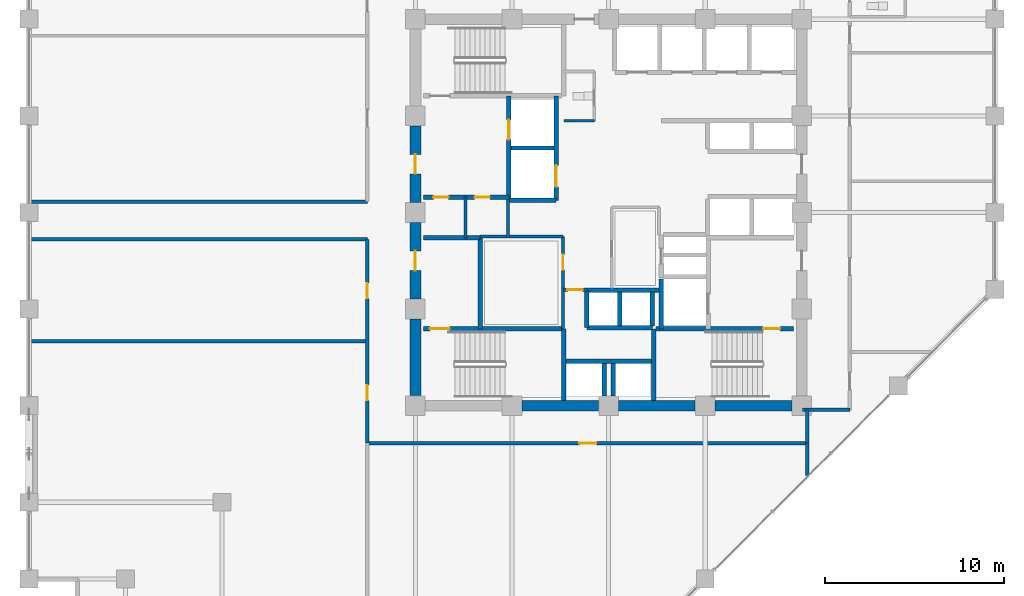
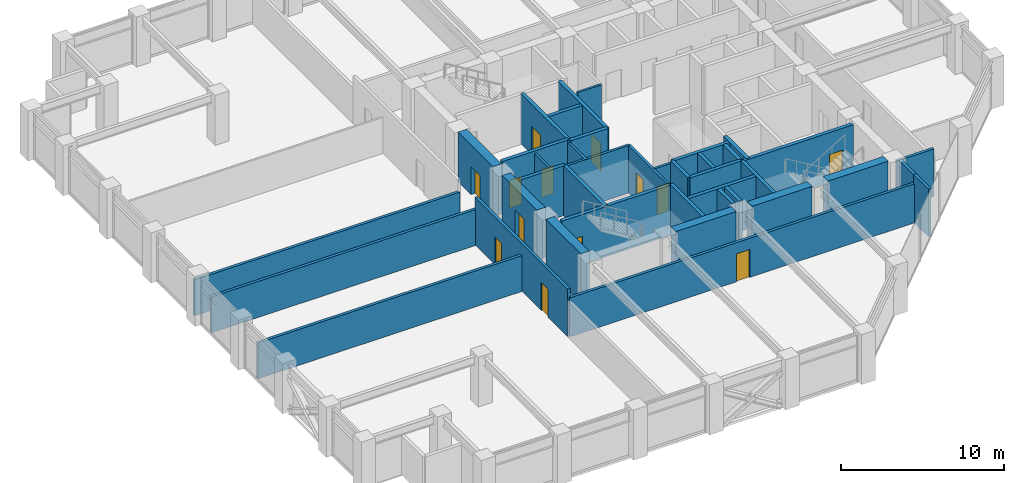
# One storey, part 19 of 23: 40 walls, 13 doors, 13 openings.
"""IFC4 building model written with IfcOpenShell, lengths in metres."""

from ifc_helpers import new_model, si_unit, direction, frame, frame_2d, origin, place, context, subcontext, project, spatial, rectangle, extrude, material, layer, layer_set, type_object, element, fill, save


model = new_model("IFC4")

# Units and contexts
model_context = context("Model", 3, precision=1e-05, world=origin(), true_north=direction((0.0, 1.0)))
body_context = subcontext(model_context, "Body", "Model", "MODEL_VIEW")
ifc_project = project(units=[si_unit("LENGTHUNIT", "METRE"), si_unit("AREAUNIT", "SQUARE_METRE"), si_unit("VOLUMEUNIT", "CUBIC_METRE"), si_unit("PLANEANGLEUNIT", "RADIAN"), si_unit("MASSUNIT", "GRAM", prefix="KILO")], contexts=[model_context])

# Site, building, storey
site_placement = place(None, origin())
site = spatial("IfcSite", under=ifc_project, at=site_placement, CompositionType="ELEMENT")
building_placement = place(site_placement, origin())
building = spatial("IfcBuilding", under=site, at=building_placement, Name="Surkhivell Harbour Commons", CompositionType="ELEMENT")
storey_placement = place(building_placement, frame((0.0, 0.0, 135.75)))
storey = spatial("IfcBuildingStorey", under=building, at=storey_placement, Name="L35", CompositionType="ELEMENT", Elevation=135.75)

# Walls
ifc_material_1 = material(Name="Concrete C60/75", Category="concrete")
ifc_layer_1 = layer(ifc_material_1, 0.60009765625)
ifc_layer_set_1 = layer_set([ifc_layer_1], Name="Concrete C60/75")
wall_type_1 = type_object("IfcWallType", Name="WAL-CORE-600", PredefinedType="SHEAR", material=ifc_layer_set_1)
for number, where, z_axis, x_axis, name in (
    (1, (-10.800048828125, -10.239990234375, 0.0), (0.0, 0.0, 1.0), (0.0, 1.0, 0.0), "L35 Core Shear Wall West 1"),
    (2, (-4.840087890625, -10.800048828125, 0.0), (0.0, 0.0, 1.0), (1.0, 0.0, 0.0), "L35 Core Shear Wall South 2"),
):
    element("IfcWall", number, at=place(storey_placement, frame(where, z_axis=z_axis, x_axis=x_axis)), inside=storey, type_object=wall_type_1, Name=name, PredefinedType="SHEAR", context=body_context, shape_type="SweptSolid", body=[
        extrude(rectangle(XDim=4.280029296875, YDim=0.60009765625, at=frame_2d((2.14013671875, 0.0))), origin(), (0.0, 0.0, 1.0), 3.75),
    ])

# Wall, opening, door
wall_1_placement = place(storey_placement, frame((-10.800048828125, -4.840087890625, 0.0), z_axis=(0.0, 0.0, 1.0), x_axis=(0.0, 1.0, 0.0)))
wall_1 = element("IfcWall", 3, at=wall_1_placement, inside=storey, type_object=wall_type_1, Name="L35 Core Shear Wall West 2", PredefinedType="SHEAR", context=body_context, shape_type="SweptSolid", body=[
    extrude(rectangle(XDim=4.280029296875, YDim=0.60009765625, at=frame_2d((2.14013671875, 0.0))), origin(), (0.0, 0.0, 1.0), 3.75),
])
opening_1_placement = place(wall_1_placement, frame((1.590087890625, 0.0, 0.0)))
opening_1 = element("IfcOpeningElement", 4, at=opening_1_placement, cuts=wall_1, Name="Opening ID-2", PredefinedType="OPENING", context=body_context, shape_type="SweptSolid", body=[
    extrude(rectangle(XDim=1.10009765625, YDim=2.10009765625, at=frame_2d((0.550048828125, 1.050048828125))), frame((0.0, 0.31005859375, 0.0), z_axis=(0.0, -1.0, 0.0), x_axis=(1.0, 0.0, 0.0)), (0.0, 0.0, 1.0), 0.6201171875),
])
ifc_material_2 = material(Name="Hardwood-veneered fire-rated door leaf", Category="wood")
door_type_1 = type_object("IfcDoorType", Name="DOR-FD60-1100", OperationType="NOTDEFINED", PredefinedType="DOOR", material=ifc_material_2)
door_1_placement = place(opening_1_placement, origin())
door_1 = element("IfcDoor", 5, at=door_1_placement, inside=storey, type_object=door_type_1, Name="L35 Stair 3 Lobby Corridor Door", OperationType="SINGLE_SWING_LEFT", OverallHeight=2.10009765625, OverallWidth=1.10009765625, PredefinedType="DOOR", context=body_context, shape_type="SweptSolid", body=[
    extrude(rectangle(XDim=1.10009765625, YDim=2.10009765625, at=frame_2d((0.550048828125, 1.050048828125))), frame((0.0, 0.02490234375, 0.0), z_axis=(0.0, -1.0, 0.0), x_axis=(1.0, 0.0, 0.0)), (0.0, 0.0, 1.0), 0.050048828125),
])
fill(opening_1, door_1)

# Wall
wall_2_placement = place(storey_placement, frame((0.56005859375, -10.800048828125, 0.0), z_axis=(0.0, 0.0, 1.0), x_axis=(1.0, 0.0, 0.0)))
element("IfcWall", 6, at=wall_2_placement, inside=storey, type_object=wall_type_1, Name="L35 Core Shear Wall South 3", PredefinedType="SHEAR", context=body_context, shape_type="SweptSolid", body=[
    extrude(rectangle(XDim=4.280029296875, YDim=0.60009765625, at=frame_2d((2.14013671875, 0.0))), origin(), (0.0, 0.0, 1.0), 3.75),
])

# Wall, opening, door
wall_3_placement = place(storey_placement, frame((-10.800048828125, 0.56005859375, 0.0), z_axis=(0.0, 0.0, 1.0), x_axis=(0.0, 1.0, 0.0)))
wall_3 = element("IfcWall", 7, at=wall_3_placement, inside=storey, type_object=wall_type_1, Name="L35 Core Shear Wall West 3", PredefinedType="SHEAR", context=body_context, shape_type="SweptSolid", body=[
    extrude(rectangle(XDim=4.280029296875, YDim=0.60009765625, at=frame_2d((2.14013671875, 0.0))), origin(), (0.0, 0.0, 1.0), 3.75),
])
opening_2_placement = place(wall_3_placement, frame((1.590087890625, 0.0, 0.0)))
opening_2 = element("IfcOpeningElement", 8, at=opening_2_placement, cuts=wall_3, Name="Opening ID-1", PredefinedType="OPENING", context=body_context, shape_type="SweptSolid", body=[
    extrude(rectangle(XDim=1.10009765625, YDim=2.10009765625, at=frame_2d((0.550048828125, 1.050048828125))), frame((0.0, 0.31005859375, 0.0), z_axis=(0.0, -1.0, 0.0), x_axis=(1.0, 0.0, 0.0)), (0.0, 0.0, 1.0), 0.6201171875),
])
door_type_2 = type_object("IfcDoorType", Name="DOR-FD120-1100", OperationType="NOTDEFINED", PredefinedType="DOOR", material=ifc_material_2)
door_2_placement = place(opening_2_placement, origin())
door_2 = element("IfcDoor", 9, at=door_2_placement, inside=storey, type_object=door_type_2, Name="L35 Firefighting Lobby 1 Corridor Door", OperationType="SINGLE_SWING_LEFT", OverallHeight=2.10009765625, OverallWidth=1.10009765625, PredefinedType="DOOR", context=body_context, shape_type="SweptSolid", body=[
    extrude(rectangle(XDim=1.10009765625, YDim=2.10009765625, at=frame_2d((0.550048828125, 1.050048828125))), frame((0.0, 0.02490234375, 0.0), z_axis=(0.0, -1.0, 0.0), x_axis=(1.0, 0.0, 0.0)), (0.0, 0.0, 1.0), 0.050048828125),
])
fill(opening_2, door_2)

# Walls
wall_4_placement = place(storey_placement, frame((5.9599609375, -10.800048828125, 0.0), z_axis=(0.0, 0.0, 1.0), x_axis=(1.0, 0.0, 0.0)))
element("IfcWall", 10, at=wall_4_placement, inside=storey, type_object=wall_type_1, Name="L35 Core Shear Wall South 4", PredefinedType="SHEAR", context=body_context, shape_type="SweptSolid", body=[
    extrude(rectangle(XDim=4.280029296875, YDim=0.60009765625, at=frame_2d((2.14013671875, 0.0))), origin(), (0.0, 0.0, 1.0), 3.75),
])
ifc_material_3 = material(Name="Twin-stud acoustic fireboard partition", Category="other")
ifc_layer_2 = layer(ifc_material_3, 0.14990234375)
ifc_layer_set_2 = layer_set([ifc_layer_2], Name="Twin-stud acoustic fireboard partition")
wall_type_2 = type_object("IfcWallType", Name="WAL-INT-150", PredefinedType="PARTITIONING", material=ifc_layer_set_2)
wall_5_placement = place(storey_placement, frame((-2.47998046875, 5.1201171875, 0.0), z_axis=(0.0, 0.0, 1.0), x_axis=(1.0, 0.0, 0.0)))
element("IfcWall", 11, at=wall_5_placement, inside=storey, type_object=wall_type_2, Name="L35 Core Accessible WC South Wall", PredefinedType="PARTITIONING", context=body_context, shape_type="SweptSolid", body=[
    extrude(rectangle(XDim=1.679931640625, YDim=0.14990234375, at=frame_2d((0.83984375, 0.0))), origin(), (0.0, 0.0, 1.0), 3.570068359375),
])
wall_6_placement = place(storey_placement, frame((-8.0, -1.419921875, 0.0), z_axis=(0.0, 0.0, 1.0), x_axis=(0.0, 1.0, 0.0)))
element("IfcWall", 12, at=wall_6_placement, inside=storey, type_object=wall_type_2, Name="L35 West Core Cut D1", PredefinedType="PARTITIONING", context=body_context, shape_type="SweptSolid", body=[
    extrude(rectangle(XDim=2.27001953125, YDim=0.14990234375, at=frame_2d((1.135009765625, 0.0))), origin(), (0.0, 0.0, 1.0), 3.570068359375),
])

# Wall, opening, door
ifc_material_4 = material(Name="High-density acoustic blockwork fire partition", Category="masonry")
ifc_layer_3 = layer(ifc_material_4, 0.175048828125)
ifc_layer_set_3 = layer_set([ifc_layer_3], Name="High-density acoustic blockwork fire partition")
wall_type_3 = type_object("IfcWallType", Name="WAL-INT-175", PredefinedType="PARTITIONING", material=ifc_layer_set_3)
wall_7_placement = place(storey_placement, frame((-2.550048828125, -6.510009765625, 0.0), z_axis=(0.0, 0.0, 1.0), x_axis=(0.0, 1.0, 0.0)))
wall_7 = element("IfcWall", 13, at=wall_7_placement, inside=storey, type_object=wall_type_3, Name="L35 Core Service Bay East Wall", PredefinedType="PARTITIONING", context=body_context, shape_type="SweptSolid", body=[
    extrude(rectangle(XDim=5.159912109375, YDim=0.175048828125, at=frame_2d((2.580078125, 0.0))), origin(), (0.0, 0.0, 1.0), 3.570068359375),
])
opening_3_placement = place(wall_7_placement, frame((3.300048828125, 0.0, 0.0)))
opening_3 = element("IfcOpeningElement", 14, at=opening_3_placement, cuts=wall_7, Name="Opening ID-6", PredefinedType="OPENING", context=body_context, shape_type="SweptSolid", body=[
    extrude(rectangle(XDim=0.85009765625, YDim=2.10009765625, at=frame_2d((0.425048828125, 1.050048828125))), frame((0.0, 0.097412109375, 0.0), z_axis=(0.0, -1.0, 0.0), x_axis=(1.0, 0.0, 0.0)), (0.0, 0.0, 1.0), 0.195068359375),
])
door_type_3 = type_object("IfcDoorType", Name="DOR-FD30-850", OperationType="NOTDEFINED", PredefinedType="DOOR", material=ifc_material_2)
door_3_placement = place(opening_3_placement, origin())
door_3 = element("IfcDoor", 15, at=door_3_placement, inside=storey, type_object=door_type_3, Name="L35 Core Quiet Reading Door", OperationType="SINGLE_SWING_RIGHT", OverallHeight=2.10009765625, OverallWidth=0.85009765625, PredefinedType="DOOR", context=body_context, shape_type="SweptSolid", body=[
    extrude(rectangle(XDim=0.85009765625, YDim=2.10009765625, at=frame_2d((0.425048828125, 1.050048828125))), frame((0.0, 0.02490234375, 0.0), z_axis=(0.0, -1.0, 0.0), x_axis=(1.0, 0.0, 0.0)), (0.0, 0.0, 1.0), 0.050048828125),
])
fill(opening_3, door_3)

# Walls
wall_8_placement = place(storey_placement, frame((-7.179931640625, -1.35009765625, 0.0), z_axis=(0.0, 0.0, 1.0), x_axis=(1.0, 0.0, 0.0)))
element("IfcWall", 16, at=wall_8_placement, inside=storey, type_object=wall_type_3, Name="L35 Core Service Bay North Wall", PredefinedType="PARTITIONING", context=body_context, shape_type="SweptSolid", body=[
    extrude(rectangle(XDim=4.6298828125, YDim=0.175048828125, at=frame_2d((2.31494140625, 0.0))), origin(), (0.0, 0.0, 1.0), 3.570068359375),
])
wall_9_placement = place(storey_placement, frame((-5.6201171875, -1.419921875, 0.0), z_axis=(0.0, 0.0, 1.0), x_axis=(0.0, 1.0, 0.0)))
element("IfcWall", 17, at=wall_9_placement, inside=storey, type_object=wall_type_3, Name="L35 West Core Bay East Wall", PredefinedType="PARTITIONING", context=body_context, shape_type="SweptSolid", body=[
    extrude(rectangle(XDim=2.139892578125, YDim=0.175048828125, at=frame_2d((1.06982421875, 0.0))), origin(), (0.0, 0.0, 1.0), 3.570068359375),
])

# Wall, opening, door
wall_10_placement = place(storey_placement, frame((-2.52001953125, -4.320068359375, 0.0), z_axis=(0.0, 0.0, 1.0), x_axis=(1.0, 0.0, 0.0)))
wall_10 = element("IfcWall", 18, at=wall_10_placement, inside=storey, type_object=wall_type_3, Name="L35 High-Rise Lobby North Portal Wall", PredefinedType="PARTITIONING", context=body_context, shape_type="SweptSolid", body=[
    extrude(rectangle(XDim=1.300048828125, YDim=0.175048828125, at=frame_2d((0.64990234375, 0.0))), origin(), (0.0, 0.0, 1.0), 3.570068359375),
])
opening_4_placement = place(wall_10_placement, frame((0.219970703125, 0.0, 0.0)))
opening_4 = element("IfcOpeningElement", 19, at=opening_4_placement, cuts=wall_10, Name="Opening ID-6", PredefinedType="OPENING", context=body_context, shape_type="SweptSolid", body=[
    extrude(rectangle(XDim=0.85009765625, YDim=2.10009765625, at=frame_2d((0.425048828125, 1.050048828125))), frame((0.0, 0.097412109375, 0.0), z_axis=(0.0, -1.0, 0.0), x_axis=(1.0, 0.0, 0.0)), (0.0, 0.0, 1.0), 0.195068359375),
])
door_4_placement = place(opening_4_placement, origin())
door_4 = element("IfcDoor", 20, at=door_4_placement, inside=storey, type_object=door_type_3, Name="L35 High-Rise Lift Lobby North Door", OperationType="SINGLE_SWING_LEFT", OverallHeight=2.10009765625, OverallWidth=0.85009765625, PredefinedType="DOOR", context=body_context, shape_type="SweptSolid", body=[
    extrude(rectangle(XDim=0.85009765625, YDim=2.10009765625, at=frame_2d((0.425048828125, 1.050048828125))), frame((0.0, 0.02490234375, 0.0), z_axis=(0.0, -1.0, 0.0), x_axis=(1.0, 0.0, 0.0)), (0.0, 0.0, 1.0), 0.050048828125),
])
fill(opening_4, door_4)

# Walls
ifc_material_5 = material(Name="Autoclaved aerated concrete blockwork and fire plaster", Category="masonry")
ifc_layer_4 = layer(ifc_material_5, 0.199951171875)
ifc_layer_set_4 = layer_set([ifc_layer_4], Name="Autoclaved aerated concrete blockwork and fire plaster")
wall_type_4 = type_object("IfcWallType", Name="WAL-INT-200", PredefinedType="PARTITIONING", material=ifc_layer_set_4)
wall_11_placement = place(storey_placement, frame((11.10009765625, -14.715087890625, 0.0), z_axis=(0.0, 0.0, 1.0), x_axis=(0.0, 1.0, 0.0)))
element("IfcWall", 21, at=wall_11_placement, inside=storey, type_object=wall_type_4, Name="L35 South-East Wing Corner Divider", PredefinedType="PARTITIONING", context=body_context, shape_type="SweptSolid", body=[
    extrude(rectangle(XDim=1.815185546875, YDim=0.199951171875, at=frame_2d((0.90771484375, 0.0))), origin(), (0.0, 0.0, 1.0), 3.570068359375),
])
wall_12_placement = place(storey_placement, frame((10.85009765625, -11.0400390625, 0.0), z_axis=(0.0, 0.0, 1.0), x_axis=(1.0, 0.0, 0.0)))
element("IfcWall", 22, at=wall_12_placement, inside=storey, type_object=wall_type_4, Name="L35 Corridor East South Closure Wall", PredefinedType="PARTITIONING", context=body_context, shape_type="SweptSolid", body=[
    extrude(rectangle(XDim=2.6298828125, YDim=0.199951171875, at=frame_2d((1.31494140625, 0.0))), origin(), (0.0, 0.0, 1.0), 3.570068359375),
])

# Wall, opening, door
wall_13_placement = place(storey_placement, frame((-13.47998046875, -12.89990234375, 0.0), z_axis=(0.0, 0.0, 1.0), x_axis=(1.0, 0.0, 0.0)))
wall_13 = element("IfcWall", 23, at=wall_13_placement, inside=storey, type_object=wall_type_4, Name="L35 Corridor South Wall", PredefinedType="PARTITIONING", context=body_context, shape_type="SweptSolid", body=[
    extrude(rectangle(XDim=24.580078125, YDim=0.199951171875, at=frame_2d((12.2900390625, 0.0))), origin(), (0.0, 0.0, 1.0), 2.93310546875),
])
opening_5_placement = place(wall_13_placement, frame((11.840087890625, 0.0, 0.0)))
opening_5 = element("IfcOpeningElement", 24, at=opening_5_placement, cuts=wall_13, Name="Opening ID-4", PredefinedType="OPENING", context=body_context, shape_type="SweptSolid", body=[
    extrude(rectangle(XDim=0.949951171875, YDim=2.10009765625, at=frame_2d((0.47509765625, 1.050048828125))), frame((0.0, 0.10986328125, 0.0), z_axis=(0.0, -1.0, 0.0), x_axis=(1.0, 0.0, 0.0)), (0.0, 0.0, 1.0), 0.219970703125),
])
door_type_4 = type_object("IfcDoorType", Name="DOR-FD60-950", OperationType="NOTDEFINED", PredefinedType="DOOR", material=ifc_material_2)
door_5_placement = place(opening_5_placement, origin())
door_5 = element("IfcDoor", 25, at=door_5_placement, inside=storey, type_object=door_type_4, Name="L35 Harbour Social Lounge South Door", OperationType="SINGLE_SWING_LEFT", OverallHeight=2.10009765625, OverallWidth=0.949951171875, PredefinedType="DOOR", context=body_context, shape_type="SweptSolid", body=[
    extrude(rectangle(XDim=0.949951171875, YDim=2.10009765625, at=frame_2d((0.47509765625, 1.050048828125))), frame((0.0, 0.02490234375, 0.0), z_axis=(0.0, -1.0, 0.0), x_axis=(1.0, 0.0, 0.0)), (0.0, 0.0, 1.0), 0.050048828125),
])
fill(opening_5, door_5)

# Walls
wall_14_placement = place(storey_placement, frame((11.10009765625, -12.89990234375, 0.0), z_axis=(0.0, 0.0, 1.0), x_axis=(0.0, 1.0, 0.0)))
element("IfcWall", 26, at=wall_14_placement, inside=storey, type_object=wall_type_4, Name="L35 Corridor SE Closure Wall", PredefinedType="PARTITIONING", context=body_context, shape_type="SweptSolid", body=[
    extrude(rectangle(XDim=1.85986328125, YDim=0.199951171875, at=frame_2d((0.929931640625, 0.0))), origin(), (0.0, 0.0, 1.0), 3.570068359375),
])
for number, where, z_axis, x_axis, name in (
    (27, (-32.340087890625, 0.60009765625, 0.0), (0.0, 0.0, 1.0), (1.0, 0.0, 0.0), "L35 West Alcove North Wall"),
    (28, (-32.340087890625, -1.5, 0.0), (0.0, 0.0, 1.0), (1.0, 0.0, 0.0), "L35 West Alcove South Wall"),
):
    element("IfcWall", number, at=place(storey_placement, frame(where, z_axis=z_axis, x_axis=x_axis)), inside=storey, type_object=wall_type_4, Name=name, PredefinedType="PARTITIONING", context=body_context, shape_type="SweptSolid", body=[
        extrude(rectangle(XDim=18.860107421875, YDim=0.199951171875, at=frame_2d((9.43017578125, 0.0))), origin(), (0.0, 0.0, 1.0), 2.698974609375),
    ])

# Wall, openings, doors
wall_15_placement = place(storey_placement, frame((-13.47998046875, -12.89990234375, 0.0), z_axis=(0.0, 0.0, 1.0), x_axis=(0.0, 1.0, 0.0)))
wall_15 = element("IfcWall", 29, at=wall_15_placement, inside=storey, type_object=wall_type_4, Name="L35 Corridor West-Lower Wall", PredefinedType="PARTITIONING", context=body_context, shape_type="SweptSolid", body=[
    extrude(rectangle(XDim=11.39990234375, YDim=0.199951171875, at=frame_2d((5.699951171875, 0.0))), origin(), (0.0, 0.0, 1.0), 3.570068359375),
])
opening_6_placement = place(wall_15_placement, frame((2.39990234375, 0.0, 0.0)))
opening_6 = element("IfcOpeningElement", 30, at=opening_6_placement, cuts=wall_15, Name="Opening ID-6", PredefinedType="OPENING", context=body_context, shape_type="SweptSolid", body=[
    extrude(rectangle(XDim=0.85009765625, YDim=2.10009765625, at=frame_2d((0.425048828125, 1.050048828125))), frame((0.0, 0.10986328125, 0.0), z_axis=(0.0, -1.0, 0.0), x_axis=(1.0, 0.0, 0.0)), (0.0, 0.0, 1.0), 0.219970703125),
])
opening_7_placement = place(wall_15_placement, frame((8.10009765625, 0.0, 0.0)))
opening_7 = element("IfcOpeningElement", 31, at=opening_7_placement, cuts=wall_15, Name="Opening ID-6", PredefinedType="OPENING", context=body_context, shape_type="SweptSolid", body=[
    extrude(rectangle(XDim=0.85009765625, YDim=2.10009765625, at=frame_2d((0.425048828125, 1.050048828125))), frame((0.0, 0.10986328125, 0.0), z_axis=(0.0, -1.0, 0.0), x_axis=(1.0, 0.0, 0.0)), (0.0, 0.0, 1.0), 0.219970703125),
])
door_6_placement = place(opening_6_placement, origin())
door_6 = element("IfcDoor", 32, at=door_6_placement, inside=storey, type_object=door_type_3, Name="L35 Campus Co-Op Bookshop South-West Door", OperationType="SINGLE_SWING_LEFT", OverallHeight=2.10009765625, OverallWidth=0.85009765625, PredefinedType="DOOR", context=body_context, shape_type="SweptSolid", body=[
    extrude(rectangle(XDim=0.85009765625, YDim=2.10009765625, at=frame_2d((0.425048828125, 1.050048828125))), frame((0.0, 0.02490234375, 0.0), z_axis=(0.0, -1.0, 0.0), x_axis=(1.0, 0.0, 0.0)), (0.0, 0.0, 1.0), 0.050048828125),
])
fill(opening_6, door_6)
door_7_placement = place(opening_7_placement, origin())
door_7 = element("IfcDoor", 33, at=door_7_placement, inside=storey, type_object=door_type_3, Name="L35 Harbour Espresso Cafe Shop South-West Door", OperationType="SINGLE_SWING_RIGHT", OverallHeight=2.10009765625, OverallWidth=0.85009765625, PredefinedType="DOOR", context=body_context, shape_type="SweptSolid", body=[
    extrude(rectangle(XDim=0.85009765625, YDim=2.10009765625, at=frame_2d((0.425048828125, 1.050048828125))), frame((0.0, 0.02490234375, 0.0), z_axis=(0.0, -1.0, 0.0), x_axis=(1.0, 0.0, 0.0)), (0.0, 0.0, 1.0), 0.050048828125),
])
fill(opening_7, door_7)

# Wall
wall_16_placement = place(storey_placement, frame((-32.340087890625, -7.199951171875, 0.0), z_axis=(0.0, 0.0, 1.0), x_axis=(1.0, 0.0, 0.0)))
element("IfcWall", 34, at=wall_16_placement, inside=storey, type_object=wall_type_4, Name="L35 South-West Partition P1", PredefinedType="PARTITIONING", context=body_context, shape_type="SweptSolid", body=[
    extrude(rectangle(XDim=18.860107421875, YDim=0.199951171875, at=frame_2d((9.43017578125, 0.0))), origin(), (0.0, 0.0, 1.0), 2.698974609375),
])

# Wall, opening, door
ifc_material_6 = material(Name="Concrete C50/60", Category="concrete")
ifc_layer_5 = layer(ifc_material_6, 0.25)
ifc_layer_set_5 = layer_set([ifc_layer_5], Name="Concrete C50/60")
wall_type_5 = type_object("IfcWallType", Name="WAL-SHAFT-250", PredefinedType="SHEAR", material=ifc_layer_set_5)
wall_17_placement = place(storey_placement, frame((-5.580078125, 0.719970703125, 0.0), z_axis=(0.0, 0.0, 1.0), x_axis=(0.0, 1.0, 0.0)))
wall_17 = element("IfcWall", 35, at=wall_17_placement, inside=storey, type_object=wall_type_5, Name="L35 Firefighting Lobby 1 East Shaft Wall", PredefinedType="SHEAR", context=body_context, shape_type="SweptSolid", body=[
    extrude(rectangle(XDim=5.7900390625, YDim=0.25, at=frame_2d((2.89501953125, 0.0))), origin(), (0.0, 0.0, 1.0), 3.75),
])
opening_8_placement = place(wall_17_placement, frame((3.35009765625, 0.0, 0.0)))
opening_8 = element("IfcOpeningElement", 36, at=opening_8_placement, cuts=wall_17, Name="Opening LD-1", PredefinedType="OPENING", context=body_context, shape_type="SweptSolid", body=[
    extrude(rectangle(XDim=1.10009765625, YDim=2.10009765625, at=frame_2d((0.550048828125, 1.050048828125))), frame((0.0, 0.135009765625, 0.0), z_axis=(0.0, -1.0, 0.0), x_axis=(1.0, 0.0, 0.0)), (0.0, 0.0, 1.0), 0.27001953125),
])
ifc_material_7 = material(Name="Brushed stainless steel S355", Category="steel")
door_type_5 = type_object("IfcDoorType", Name="DOR-LD-1100", OperationType="SLIDING_TO_LEFT", PredefinedType="DOOR", material=ifc_material_7)
door_8_placement = place(opening_8_placement, origin())
door_8 = element("IfcDoor", 37, at=door_8_placement, inside=storey, type_object=door_type_5, Name="L35 Lift Landing Door LD-FFL1", OperationType="SLIDING_TO_LEFT", OverallHeight=2.10009765625, OverallWidth=1.10009765625, PredefinedType="DOOR", context=body_context, shape_type="SweptSolid", body=[
    extrude(rectangle(XDim=1.10009765625, YDim=2.10009765625, at=frame_2d((0.550048828125, 1.050048828125))), frame((0.0, 0.02490234375, 0.0), z_axis=(0.0, -1.0, 0.0), x_axis=(1.0, 0.0, 0.0)), (0.0, 0.0, 1.0), 0.050048828125),
])
fill(opening_8, door_8)

# Wall, openings, doors
wall_18_placement = place(storey_placement, frame((-10.340087890625, 0.85009765625, 0.0), z_axis=(0.0, 0.0, 1.0), x_axis=(1.0, 0.0, 0.0)))
wall_18 = element("IfcWall", 38, at=wall_18_placement, inside=storey, type_object=wall_type_5, Name="L35 Firefighting Lobby 1 South Wall", PredefinedType="SHEAR", context=body_context, shape_type="SweptSolid", body=[
    extrude(rectangle(XDim=4.760009765625, YDim=0.25, at=frame_2d((2.3798828125, 0.0))), origin(), (0.0, 0.0, 1.0), 3.75),
])
opening_9_placement = place(wall_18_placement, frame((0.550048828125, 0.0, 0.0)))
opening_9 = element("IfcOpeningElement", 39, at=opening_9_placement, cuts=wall_18, Name="Opening ID-6", PredefinedType="OPENING", context=body_context, shape_type="SweptSolid", body=[
    extrude(rectangle(XDim=0.85009765625, YDim=2.10009765625, at=frame_2d((0.425048828125, 1.050048828125))), frame((0.0, 0.135009765625, 0.0), z_axis=(0.0, -1.0, 0.0), x_axis=(1.0, 0.0, 0.0)), (0.0, 0.0, 1.0), 0.27001953125),
])
opening_10_placement = place(wall_18_placement, frame((2.85009765625, 0.0, 0.0)))
opening_10 = element("IfcOpeningElement", 40, at=opening_10_placement, cuts=wall_18, Name="Opening ID-6", PredefinedType="OPENING", context=body_context, shape_type="SweptSolid", body=[
    extrude(rectangle(XDim=0.85009765625, YDim=2.10009765625, at=frame_2d((0.425048828125, 1.050048828125))), frame((0.0, 0.135009765625, 0.0), z_axis=(0.0, -1.0, 0.0), x_axis=(1.0, 0.0, 0.0)), (0.0, 0.0, 1.0), 0.27001953125),
])
door_9_placement = place(opening_9_placement, origin())
door_9 = element("IfcDoor", 41, at=door_9_placement, inside=storey, type_object=door_type_3, Name="L35 West Seminar Pod Door", OperationType="SINGLE_SWING_LEFT", OverallHeight=2.10009765625, OverallWidth=0.85009765625, PredefinedType="DOOR", context=body_context, shape_type="SweptSolid", body=[
    extrude(rectangle(XDim=0.85009765625, YDim=2.10009765625, at=frame_2d((0.425048828125, 1.050048828125))), frame((0.0, 0.02490234375, 0.0), z_axis=(0.0, -1.0, 0.0), x_axis=(1.0, 0.0, 0.0)), (0.0, 0.0, 1.0), 0.050048828125),
])
fill(opening_9, door_9)
door_10_placement = place(opening_10_placement, origin())
door_10 = element("IfcDoor", 42, at=door_10_placement, inside=storey, type_object=door_type_3, Name="L35 West Reading Pod Door", OperationType="SINGLE_SWING_RIGHT", OverallHeight=2.10009765625, OverallWidth=0.85009765625, PredefinedType="DOOR", context=body_context, shape_type="SweptSolid", body=[
    extrude(rectangle(XDim=0.85009765625, YDim=2.10009765625, at=frame_2d((0.425048828125, 1.050048828125))), frame((0.0, 0.02490234375, 0.0), z_axis=(0.0, -1.0, 0.0), x_axis=(1.0, 0.0, 0.0)), (0.0, 0.0, 1.0), 0.050048828125),
])
fill(opening_10, door_10)

# Walls
wall_19_placement = place(storey_placement, frame((2.929931640625, -6.510009765625, 0.0), z_axis=(0.0, 0.0, 1.0), x_axis=(0.0, 1.0, 0.0)))
element("IfcWall", 43, at=wall_19_placement, inside=storey, type_object=wall_type_5, Name="L35 FFL2 West Shaft Wall", PredefinedType="SHEAR", context=body_context, shape_type="SweptSolid", body=[
    extrude(rectangle(XDim=2.7900390625, YDim=0.25, at=frame_2d((1.39501953125, 0.0))), origin(), (0.0, 0.0, 1.0), 3.75),
])
for number, where, z_axis, x_axis, name in (
    (44, (0.6201171875, -6.340087890625, 0.0), (0.0, 0.0, 1.0), (0.0, 1.0, 0.0), "L35 High-Rise Side Wall N"),
    (45, (2.449951171875, -6.340087890625, 0.0), (0.0, 0.0, 1.0), (0.0, 1.0, 0.0), "L35 High-Rise Side Wall N"),
):
    element("IfcWall", number, at=place(storey_placement, frame(where, z_axis=z_axis, x_axis=x_axis)), inside=storey, type_object=wall_type_5, Name=name, PredefinedType="SHEAR", context=body_context, shape_type="SweptSolid", body=[
        extrude(rectangle(XDim=1.880126953125, YDim=0.25, at=frame_2d((0.93994140625, 0.0))), origin(), (0.0, 0.0, 1.0), 3.75),
    ])
for number, where, z_axis, x_axis, name in (
    (46, (-0.25, -10.25, 0.0), (0.0, 0.0, 1.0), (0.0, 1.0, 0.0), "L35 High-Rise Side Wall S"),
    (47, (0.25, -10.25, 0.0), (0.0, 0.0, 1.0), (0.0, 1.0, 0.0), "L35 High-Rise Side Wall S"),
):
    element("IfcWall", number, at=place(storey_placement, frame(where, z_axis=z_axis, x_axis=x_axis)), inside=storey, type_object=wall_type_5, Name=name, PredefinedType="SHEAR", context=body_context, shape_type="SweptSolid", body=[
        extrude(rectangle(XDim=1.81005859375, YDim=0.25, at=frame_2d((0.905029296875, 0.0))), origin(), (0.0, 0.0, 1.0), 3.75),
    ])
wall_20_placement = place(storey_placement, frame((-1.219970703125, -6.43994140625, 0.0), z_axis=(0.0, 0.0, 1.0), x_axis=(0.0, 1.0, 0.0)))
element("IfcWall", 48, at=wall_20_placement, inside=storey, type_object=wall_type_5, Name="L35 High-Rise Passage East Shaft Wall", PredefinedType="SHEAR", context=body_context, shape_type="SweptSolid", body=[
    extrude(rectangle(XDim=2.079833984375, YDim=0.25, at=frame_2d((1.0400390625, 0.0))), origin(), (0.0, 0.0, 1.0), 3.75),
])
wall_21_placement = place(storey_placement, frame((-1.219970703125, -6.43994140625, 0.0), z_axis=(0.0, 0.0, 1.0), x_axis=(1.0, 0.0, 0.0)))
element("IfcWall", 49, at=wall_21_placement, inside=storey, type_object=wall_type_5, Name="L35 High-Rise North Front Shaft Wall", PredefinedType="SHEAR", context=body_context, shape_type="SweptSolid", body=[
    extrude(rectangle(XDim=3.669921875, YDim=0.25, at=frame_2d((1.8349609375, 0.0))), origin(), (0.0, 0.0, 1.0), 3.75),
])
wall_22_placement = place(storey_placement, frame((-2.47998046875, -8.320068359375, 0.0), z_axis=(0.0, 0.0, 1.0), x_axis=(1.0, 0.0, 0.0)))
element("IfcWall", 50, at=wall_22_placement, inside=storey, type_object=wall_type_5, Name="L35 High-Rise South Front Shaft Wall", PredefinedType="SHEAR", context=body_context, shape_type="SweptSolid", body=[
    extrude(rectangle(XDim=4.929931640625, YDim=0.25, at=frame_2d((2.46484375, 0.0))), origin(), (0.0, 0.0, 1.0), 3.75),
])
wall_23_placement = place(storey_placement, frame((-1.219970703125, -4.360107421875, 0.0), z_axis=(0.0, 0.0, 1.0), x_axis=(1.0, 0.0, 0.0)))
element("IfcWall", 51, at=wall_23_placement, inside=storey, type_object=wall_type_5, Name="L35 High-Rise North Back Shaft Wall", PredefinedType="SHEAR", context=body_context, shape_type="SweptSolid", body=[
    extrude(rectangle(XDim=4.030029296875, YDim=0.25, at=frame_2d((2.01513671875, 0.0))), origin(), (0.0, 0.0, 1.0), 3.75),
])

# Wall, opening, door
wall_24_placement = place(storey_placement, frame((2.639892578125, -6.510009765625, 0.0), z_axis=(0.0, 0.0, 1.0), x_axis=(1.0, 0.0, 0.0)))
wall_24 = element("IfcWall", 52, at=wall_24_placement, inside=storey, type_object=wall_type_5, Name="L35 Stair ST2 North Shear Wall", PredefinedType="SHEAR", context=body_context, shape_type="SweptSolid", body=[
    extrude(rectangle(XDim=7.7001953125, YDim=0.25, at=frame_2d((3.85009765625, 0.0))), origin(), (0.0, 0.0, 1.0), 3.75),
])
opening_11_placement = place(wall_24_placement, frame((6.0, 0.0, 0.0)))
opening_11 = element("IfcOpeningElement", 53, at=opening_11_placement, cuts=wall_24, Name="Opening ID-4", PredefinedType="OPENING", context=body_context, shape_type="SweptSolid", body=[
    extrude(rectangle(XDim=0.949951171875, YDim=2.10009765625, at=frame_2d((0.47509765625, 1.050048828125))), frame((0.0, 0.135009765625, 0.0), z_axis=(0.0, -1.0, 0.0), x_axis=(1.0, 0.0, 0.0)), (0.0, 0.0, 1.0), 0.27001953125),
])
door_11_placement = place(opening_11_placement, origin())
door_11 = element("IfcDoor", 54, at=door_11_placement, inside=storey, type_object=door_type_4, Name="L35 Stair ST2 Exit Door", OperationType="SINGLE_SWING_RIGHT", OverallHeight=2.10009765625, OverallWidth=0.949951171875, PredefinedType="DOOR", context=body_context, shape_type="SweptSolid", body=[
    extrude(rectangle(XDim=0.949951171875, YDim=2.10009765625, at=frame_2d((0.47509765625, 1.050048828125))), frame((0.0, 0.02490234375, 0.0), z_axis=(0.0, -1.0, 0.0), x_axis=(1.0, 0.0, 0.0)), (0.0, 0.0, 1.0), 0.050048828125),
])
fill(opening_11, door_11)

# Walls
for number, where, z_axis, x_axis, name in (
    (55, (2.510009765625, -10.5, 0.0), (0.0, 0.0, 1.0), (0.0, 1.0, 0.0), "L35 Stair ST2 West Shear Wall"),
    (56, (-2.510009765625, -10.5, 0.0), (0.0, 0.0, 1.0), (0.0, 1.0, 0.0), "L35 Stair ST3 East Shear Wall"),
):
    element("IfcWall", number, at=place(storey_placement, frame(where, z_axis=z_axis, x_axis=x_axis)), inside=storey, type_object=wall_type_5, Name=name, PredefinedType="SHEAR", context=body_context, shape_type="SweptSolid", body=[
        extrude(rectangle(XDim=3.989990234375, YDim=0.25, at=frame_2d((1.9951171875, 0.0))), origin(), (0.0, 0.0, 1.0), 3.75),
    ])
wall_25_placement = place(storey_placement, frame((-7.179931640625, -6.510009765625, 0.0), z_axis=(0.0, 0.0, 1.0), x_axis=(0.0, 1.0, 0.0)))
element("IfcWall", 57, at=wall_25_placement, inside=storey, type_object=wall_type_5, Name="L35 Stair 3 Lobby East Wall", PredefinedType="SHEAR", context=body_context, shape_type="SweptSolid", body=[
    extrude(rectangle(XDim=5.090087890625, YDim=0.25, at=frame_2d((2.544921875, 0.0))), origin(), (0.0, 0.0, 1.0), 3.75),
])
wall_26_placement = place(storey_placement, frame((-10.340087890625, -1.419921875, 0.0), z_axis=(0.0, 0.0, 1.0), x_axis=(1.0, 0.0, 0.0)))
element("IfcWall", 58, at=wall_26_placement, inside=storey, type_object=wall_type_5, Name="L35 Stair 3 Lobby North Wall", PredefinedType="SHEAR", context=body_context, shape_type="SweptSolid", body=[
    extrude(rectangle(XDim=3.16015625, YDim=0.25, at=frame_2d((1.580078125, 0.0))), origin(), (0.0, 0.0, 1.0), 3.75),
])

# Wall, opening, door
wall_27_placement = place(storey_placement, frame((-10.340087890625, -6.510009765625, 0.0), z_axis=(0.0, 0.0, 1.0), x_axis=(1.0, 0.0, 0.0)))
wall_27 = element("IfcWall", 59, at=wall_27_placement, inside=storey, type_object=wall_type_5, Name="L35 Stair ST3 North Shear Wall", PredefinedType="SHEAR", context=body_context, shape_type="SweptSolid", body=[
    extrude(rectangle(XDim=7.7001953125, YDim=0.25, at=frame_2d((3.85009765625, 0.0))), origin(), (0.0, 0.0, 1.0), 3.75),
])
opening_12_placement = place(wall_27_placement, frame((0.35009765625, 0.0, 0.0)))
opening_12 = element("IfcOpeningElement", 60, at=opening_12_placement, cuts=wall_27, Name="Opening ID-2", PredefinedType="OPENING", context=body_context, shape_type="SweptSolid", body=[
    extrude(rectangle(XDim=1.10009765625, YDim=2.10009765625, at=frame_2d((0.550048828125, 1.050048828125))), frame((0.0, 0.135009765625, 0.0), z_axis=(0.0, -1.0, 0.0), x_axis=(1.0, 0.0, 0.0)), (0.0, 0.0, 1.0), 0.27001953125),
])
door_12_placement = place(opening_12_placement, origin())
door_12 = element("IfcDoor", 61, at=door_12_placement, inside=storey, type_object=door_type_1, Name="L35 Stair ST3 Exit Door", OperationType="SINGLE_SWING_RIGHT", OverallHeight=2.10009765625, OverallWidth=1.10009765625, PredefinedType="DOOR", context=body_context, shape_type="SweptSolid", body=[
    extrude(rectangle(XDim=1.10009765625, YDim=2.10009765625, at=frame_2d((0.550048828125, 1.050048828125))), frame((0.0, 0.02490234375, 0.0), z_axis=(0.0, -1.0, 0.0), x_axis=(1.0, 0.0, 0.0)), (0.0, 0.0, 1.0), 0.050048828125),
])
fill(opening_12, door_12)

wall_28_placement = place(storey_placement, frame((-2.929931640625, 0.679931640625, 0.0), z_axis=(0.0, 0.0, 1.0), x_axis=(0.0, 1.0, 0.0)))
wall_28 = element("IfcWall", 62, at=wall_28_placement, inside=storey, type_object=wall_type_5, Name="L35 Service and Fire Lift East Shaft Wall", PredefinedType="SHEAR", context=body_context, shape_type="SweptSolid", body=[
    extrude(rectangle(XDim=5.830078125, YDim=0.25, at=frame_2d((2.9150390625, 0.0))), origin(), (0.0, 0.0, 1.0), 3.75),
])
opening_13_placement = place(wall_28_placement, frame((0.75, 0.0, 0.0)))
opening_13 = element("IfcOpeningElement", 63, at=opening_13_placement, cuts=wall_28, Name="Opening LD-2", PredefinedType="OPENING", context=body_context, shape_type="SweptSolid", body=[
    extrude(rectangle(XDim=1.199951171875, YDim=2.10009765625, at=frame_2d((0.60009765625, 1.050048828125))), frame((0.0, 0.135009765625, 0.0), z_axis=(0.0, -1.0, 0.0), x_axis=(1.0, 0.0, 0.0)), (0.0, 0.0, 1.0), 0.27001953125),
])
door_type_6 = type_object("IfcDoorType", Name="DOR-LD-1200", OperationType="SLIDING_TO_LEFT", PredefinedType="DOOR", material=ifc_material_7)
door_13_placement = place(opening_13_placement, origin())
door_13 = element("IfcDoor", 64, at=door_13_placement, inside=storey, type_object=door_type_6, Name="L35 Lift Landing Door LD-SVL1", OperationType="SLIDING_TO_LEFT", OverallHeight=2.10009765625, OverallWidth=1.199951171875, PredefinedType="DOOR", context=body_context, shape_type="SweptSolid", body=[
    extrude(rectangle(XDim=1.199951171875, YDim=2.10009765625, at=frame_2d((0.60009765625, 1.050048828125))), frame((0.0, 0.02490234375, 0.0), z_axis=(0.0, -1.0, 0.0), x_axis=(1.0, 0.0, 0.0)), (0.0, 0.0, 1.0), 0.050048828125),
])
fill(opening_13, door_13)

# Walls
wall_29_placement = place(storey_placement, frame((-5.449951171875, 3.60009765625, 0.0), z_axis=(0.0, 0.0, 1.0), x_axis=(1.0, 0.0, 0.0)))
element("IfcWall", 65, at=wall_29_placement, inside=storey, type_object=wall_type_5, Name="L35 FFL1/SVL1 Shaft Divider", PredefinedType="SHEAR", context=body_context, shape_type="SweptSolid", body=[
    extrude(rectangle(XDim=2.389892578125, YDim=0.25, at=frame_2d((1.19482421875, 0.0))), origin(), (0.0, 0.0, 1.0), 3.75),
])
wall_30_placement = place(storey_placement, frame((-5.580078125, 0.679931640625, 0.0), z_axis=(0.0, 0.0, 1.0), x_axis=(1.0, 0.0, 0.0)))
element("IfcWall", 66, at=wall_30_placement, inside=storey, type_object=wall_type_5, Name="L35 SVL1 South Shaft Wall", PredefinedType="SHEAR", context=body_context, shape_type="SweptSolid", body=[
    extrude(rectangle(XDim=2.650146484375, YDim=0.25, at=frame_2d((1.3251953125, 0.0))), origin(), (0.0, 0.0, 1.0), 3.75),
])

save(model, "model.ifc")
